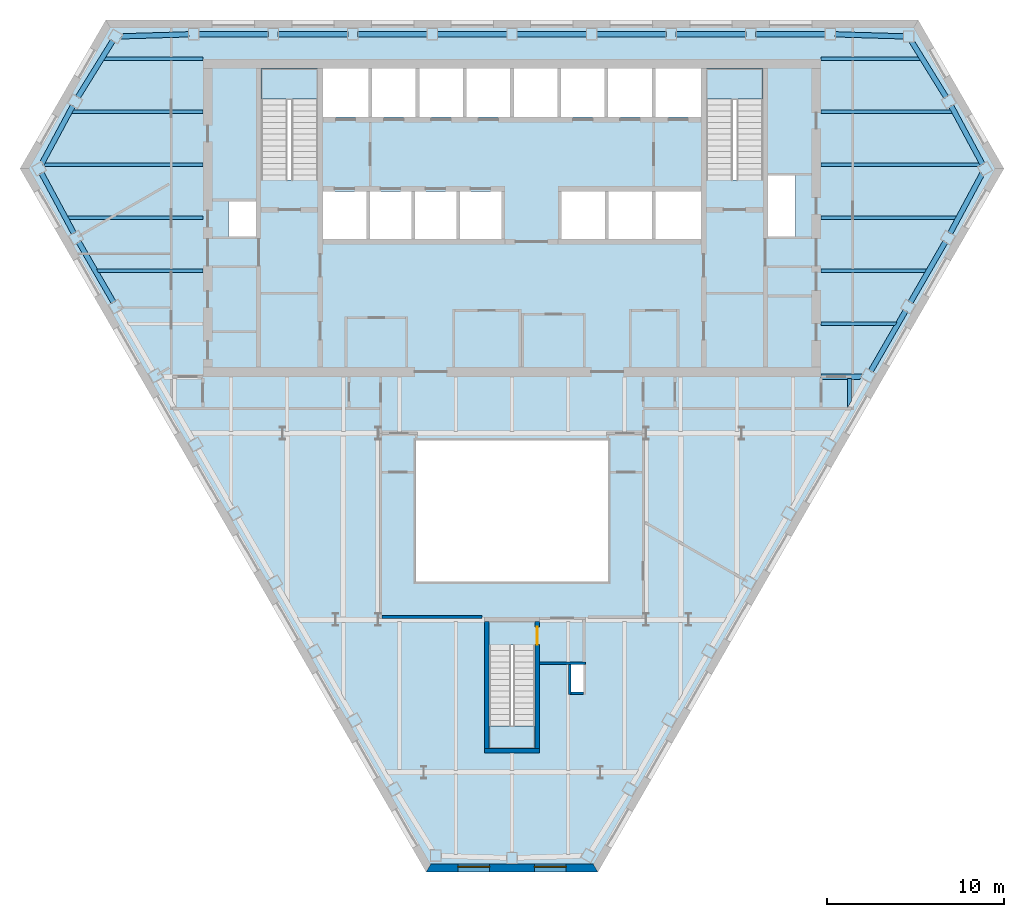
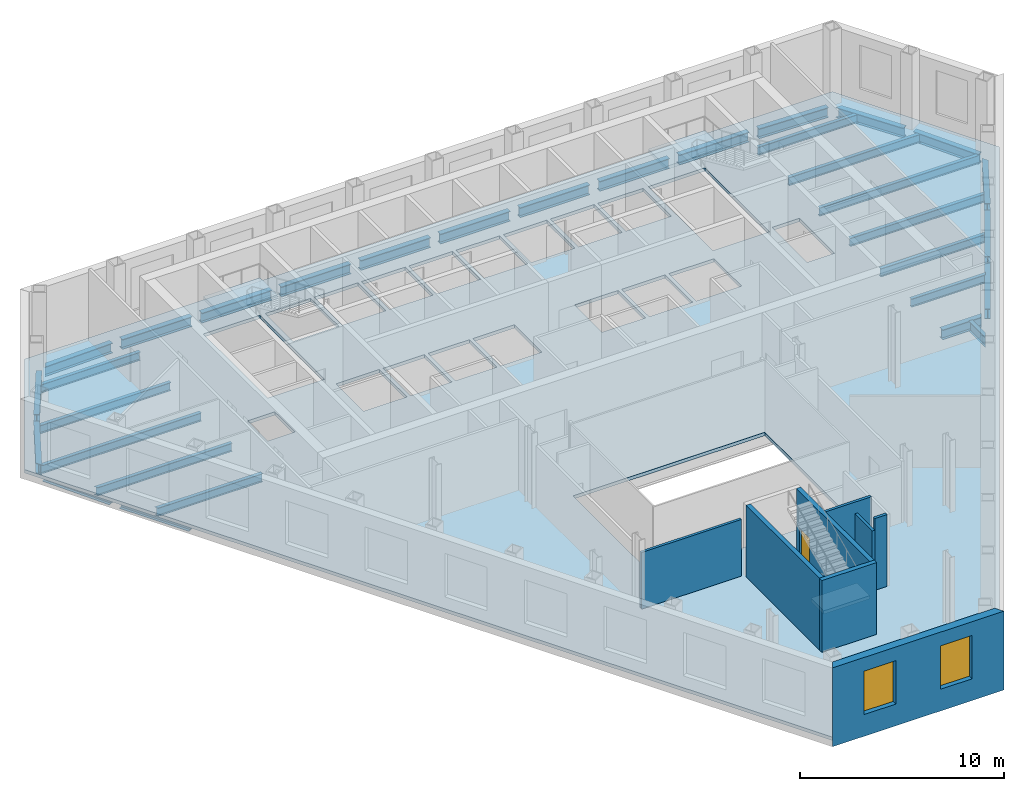
# One storey, part 3 of 11: 32 beams, 8 walls, 4 slabs, 2 windows, 1 door, 3 openings, 3 elements without a shape of their own.
"""IFC4 building model written with IfcOpenShell, lengths in metres."""

from ifc_helpers import new_model, si_unit, direction, frame, frame_2d, origin, origin_2d, place, context, subcontext, project, spatial, polyline, rectangle, i_section, outline, extrude, clip, halfspace, material, layer, layer_set, material_profile, profile_set, type_object, element, fill, aggregate, save


model = new_model("IFC4")

# Units and contexts
model_context = context("Model", 3, precision=1e-05, world=origin(), true_north=direction((0.0, 1.0)))
body_context = subcontext(model_context, "Body", "Model", "MODEL_VIEW")
ifc_project = project(units=[si_unit("LENGTHUNIT", "METRE"), si_unit("AREAUNIT", "SQUARE_METRE"), si_unit("VOLUMEUNIT", "CUBIC_METRE"), si_unit("PLANEANGLEUNIT", "RADIAN"), si_unit("MASSUNIT", "GRAM", prefix="KILO")], contexts=[model_context])

# Site, building, storey
site_placement = place(None, origin())
site = spatial("IfcSite", under=ifc_project, at=site_placement, CompositionType="ELEMENT")
building_placement = place(site_placement, origin())
building = spatial("IfcBuilding", under=site, at=building_placement, Name="Njiva Tower", CompositionType="ELEMENT")
storey_placement = place(building_placement, frame((0.0, 0.0, 120.3)))
storey = spatial("IfcBuildingStorey", under=building, at=storey_placement, Name="L25", CompositionType="ELEMENT", Elevation=120.3)

# Beams
ifc_material_1 = material(Name="Steel S355 J2", Category="steel")
ifc_material_profile_1 = material_profile(ifc_material_1, i_section(OverallWidth=0.22, OverallDepth=0.6, WebThickness=0.012, FlangeThickness=0.019, at=origin_2d()), Name="IPE 600")
ifc_profile_set_1 = profile_set([ifc_material_profile_1], Name="Steel S355 J2")
beam_type_1 = type_object("IfcBeamType", Name="B14 Short-span floor joist IPE 600", PredefinedType="JOIST", material=ifc_profile_set_1)
beam_1_placement = place(storey_placement, frame((19.1, -0.1, -0.5), z_axis=(0.0, -1.0, 0.0), x_axis=(1.0, 0.0, 0.0)))
element("IfcBeam", 1, at=beam_1_placement, inside=storey, type_object=beam_type_1, Name="Short-span floor joist S08-B090", PredefinedType="JOIST", context=body_context, shape_type="Clipping", body=[
    clip(extrude(i_section(OverallWidth=0.22, OverallDepth=0.6, WebThickness=0.012, FlangeThickness=0.019, at=origin_2d()), origin(), (0.0, 0.0, 1.0), 1.693), halfspace(frame((0.0433, 0.0, 1.4069), z_axis=(0.866026552831, 0.0, 0.499998009787), x_axis=(0.0, 1.0, 0.0)), False)),
])
ifc_material_profile_2 = material_profile(ifc_material_1, i_section(OverallWidth=0.3, OverallDepth=0.6, WebThickness=0.0155, FlangeThickness=0.03, at=origin_2d()), Name="HEB 600")
ifc_profile_set_2 = profile_set([ifc_material_profile_2], Name="Steel S355 J2")
beam_type_2 = type_object("IfcBeamType", Name="B21 Short-span floor girder HEB 600", PredefinedType="BEAM", material=ifc_profile_set_2)
beam_2_placement = place(storey_placement, frame((17.5, 0.0, -0.5), z_axis=(1.0, 0.0, 0.0), x_axis=(0.0, 1.0, 0.0)))
element("IfcBeam", 2, at=beam_2_placement, inside=storey, type_object=beam_type_2, Name="Short-span floor girder S08-B028", PredefinedType="BEAM", context=body_context, shape_type="Clipping", body=[
    clip(extrude(i_section(OverallWidth=0.3, OverallDepth=0.6, WebThickness=0.0155, FlangeThickness=0.03, at=origin_2d()), origin(), (0.0, 0.0, 1.0), 2.389), halfspace(frame((-0.025, 0.0, 2.2674), z_axis=(-0.499998009787, 0.0, 0.866026552831), x_axis=(0.0, 1.0, 0.0)), False)),
])
ifc_material_profile_3 = material_profile(ifc_material_1, i_section(OverallWidth=0.2, OverallDepth=0.5, WebThickness=0.0102, FlangeThickness=0.016, at=origin_2d()), Name="IPE 500")
ifc_profile_set_3 = profile_set([ifc_material_profile_3], Name="Steel S355 J2")
beam_type_3 = type_object("IfcBeamType", Name="B24 Floor beam to the core IPE 500", PredefinedType="BEAM", material=ifc_profile_set_3)
beam_3_placement = place(storey_placement, frame((-23.555, 6.0, -0.45), z_axis=(1.0, 0.0, 0.0), x_axis=(0.0, 1.0, 0.0)))
element("IfcBeam", 3, at=beam_3_placement, inside=storey, type_object=beam_type_3, Name="Floor beam to the core S08-B005", PredefinedType="BEAM", context=body_context, shape_type="Clipping", body=[
    clip(extrude(i_section(OverallWidth=0.2, OverallDepth=0.5, WebThickness=0.0102, FlangeThickness=0.016, at=origin_2d()), origin(), (0.0, 0.0, 1.0), 6.055), halfspace(frame((-0.025, 0.0, 0.092), z_axis=(-0.499998009787, 0.0, -0.866026552831), x_axis=(0.0, -1.0, 0.0)), False)),
])
beam_4_placement = place(storey_placement, frame((17.5, 6.0, -0.45), z_axis=(1.0, 0.0, 0.0), x_axis=(0.0, 1.0, 0.0)))
element("IfcBeam", 4, at=beam_4_placement, inside=storey, type_object=beam_type_3, Name="Floor beam to the core S08-B009", PredefinedType="BEAM", context=body_context, shape_type="Clipping", body=[
    clip(extrude(i_section(OverallWidth=0.2, OverallDepth=0.5, WebThickness=0.0102, FlangeThickness=0.016, at=origin_2d()), origin(), (0.0, 0.0, 1.0), 6.055), halfspace(frame((-0.025, 0.0, 5.963), z_axis=(-0.499998009787, 0.0, 0.866026552831), x_axis=(0.0, 1.0, 0.0)), False)),
])
beam_5_placement = place(storey_placement, frame((-25.241, 9.0, -0.45), z_axis=(1.0, 0.0, 0.0), x_axis=(0.0, 1.0, 0.0)))
element("IfcBeam", 5, at=beam_5_placement, inside=storey, type_object=beam_type_3, Name="Floor beam to the core S08-B003", PredefinedType="BEAM", context=body_context, shape_type="Clipping", body=[
    clip(extrude(i_section(OverallWidth=0.2, OverallDepth=0.5, WebThickness=0.0102, FlangeThickness=0.016, at=origin_2d()), origin(), (0.0, 0.0, 1.0), 7.741), halfspace(frame((-0.0237, 0.0, 0.0865), z_axis=(-0.47376166762, 0.0, -0.88065309986), x_axis=(0.0, -1.0, 0.0)), False)),
])
beam_6_placement = place(storey_placement, frame((17.5, 9.0, -0.45), z_axis=(1.0, 0.0, 0.0), x_axis=(0.0, 1.0, 0.0)))
element("IfcBeam", 6, at=beam_6_placement, inside=storey, type_object=beam_type_3, Name="Floor beam to the core S08-B010", PredefinedType="BEAM", context=body_context, shape_type="Clipping", body=[
    clip(extrude(i_section(OverallWidth=0.2, OverallDepth=0.5, WebThickness=0.0102, FlangeThickness=0.016, at=origin_2d()), origin(), (0.0, 0.0, 1.0), 7.741), halfspace(frame((-0.0237, 0.0, 7.6545), z_axis=(-0.47376166762, 0.0, 0.88065309986), x_axis=(0.0, 1.0, 0.0)), False)),
])
beam_7_placement = place(storey_placement, frame((-26.635, 12.0, -0.45), z_axis=(1.0, 0.0, 0.0), x_axis=(0.0, 1.0, 0.0)))
element("IfcBeam", 7, at=beam_7_placement, inside=storey, type_object=beam_type_3, Name="Floor beam to the core S08-B001", PredefinedType="BEAM", context=body_context, shape_type="Clipping", body=[
    clip(extrude(i_section(OverallWidth=0.2, OverallDepth=0.5, WebThickness=0.0102, FlangeThickness=0.016, at=origin_2d()), origin(), (0.0, 0.0, 1.0), 9.135), halfspace(frame((-0.025, 0.0, 0.092), z_axis=(-0.499998009787, 0.0, -0.866026552831), x_axis=(0.0, -1.0, 0.0)), False)),
])
beam_8_placement = place(storey_placement, frame((17.5, 12.0, -0.45), z_axis=(1.0, 0.0, 0.0), x_axis=(0.0, 1.0, 0.0)))
element("IfcBeam", 8, at=beam_8_placement, inside=storey, type_object=beam_type_3, Name="Floor beam to the core S08-B012", PredefinedType="BEAM", context=body_context, shape_type="Clipping", body=[
    clip(extrude(i_section(OverallWidth=0.2, OverallDepth=0.5, WebThickness=0.0102, FlangeThickness=0.016, at=origin_2d()), origin(), (0.0, 0.0, 1.0), 9.299), halfspace(frame((-0.0433, 0.0, 9.0306), z_axis=(-0.866026552831, 0.0, 0.499998009787), x_axis=(0.0, 1.0, 0.0)), False)),
])
beam_9_placement = place(storey_placement, frame((-25.01, 15.0, -0.45), z_axis=(1.0, 0.0, 0.0), x_axis=(0.0, 1.0, 0.0)))
element("IfcBeam", 9, at=beam_9_placement, inside=storey, type_object=beam_type_3, Name="Floor beam to the core S08-B004", PredefinedType="BEAM", context=body_context, shape_type="Clipping", body=[
    clip(extrude(i_section(OverallWidth=0.2, OverallDepth=0.5, WebThickness=0.0102, FlangeThickness=0.016, at=origin_2d()), origin(), (0.0, 0.0, 1.0), 7.51), halfspace(frame((0.0237, 0.0, 0.0866), z_axis=(0.473099472471, 0.0, -0.881009017631), x_axis=(0.0, -1.0, 0.0)), False)),
])
beam_10_placement = place(storey_placement, frame((17.5, 15.0, -0.45), z_axis=(1.0, 0.0, 0.0), x_axis=(0.0, 1.0, 0.0)))
element("IfcBeam", 10, at=beam_10_placement, inside=storey, type_object=beam_type_3, Name="Floor beam to the core S08-B013", PredefinedType="BEAM", context=body_context, shape_type="Clipping", body=[
    clip(extrude(i_section(OverallWidth=0.2, OverallDepth=0.5, WebThickness=0.0102, FlangeThickness=0.016, at=origin_2d()), origin(), (0.0, 0.0, 1.0), 7.51), halfspace(frame((0.0237, 0.0, 7.4234), z_axis=(0.473099472471, 0.0, 0.881009017631), x_axis=(0.0, 1.0, 0.0)), False)),
])
beam_11_placement = place(storey_placement, frame((-23.205, 18.0, -0.45), z_axis=(1.0, 0.0, 0.0), x_axis=(0.0, 1.0, 0.0)))
element("IfcBeam", 11, at=beam_11_placement, inside=storey, type_object=beam_type_3, Name="Floor beam to the core S08-B006", PredefinedType="BEAM", context=body_context, shape_type="Clipping", body=[
    clip(extrude(i_section(OverallWidth=0.2, OverallDepth=0.5, WebThickness=0.0102, FlangeThickness=0.016, at=origin_2d()), origin(), (0.0, 0.0, 1.0), 5.705), halfspace(frame((0.0263, 0.0, 0.0982), z_axis=(0.526429317406, 0.0, -0.850218897564), x_axis=(0.0, -1.0, 0.0)), False)),
])
beam_12_placement = place(storey_placement, frame((17.5, 18.0, -0.45), z_axis=(1.0, 0.0, 0.0), x_axis=(0.0, 1.0, 0.0)))
element("IfcBeam", 12, at=beam_12_placement, inside=storey, type_object=beam_type_3, Name="Floor beam to the core S08-B014", PredefinedType="BEAM", context=body_context, shape_type="Clipping", body=[
    clip(extrude(i_section(OverallWidth=0.2, OverallDepth=0.5, WebThickness=0.0102, FlangeThickness=0.016, at=origin_2d()), origin(), (0.0, 0.0, 1.0), 5.705), halfspace(frame((0.0263, 0.0, 5.6068), z_axis=(0.526429317406, 0.0, 0.850218897564), x_axis=(0.0, 1.0, 0.0)), False)),
])
ifc_material_profile_4 = material_profile(ifc_material_1, i_section(OverallWidth=0.2, OverallDepth=0.5, WebThickness=0.0102, FlangeThickness=0.016, at=origin_2d()), Name="IPE 500")
ifc_profile_set_4 = profile_set([ifc_material_profile_4], Name="Steel S355 J2")
beam_type_4 = type_object("IfcBeamType", Name="B25 Short-span floor beam to the core IPE 500", PredefinedType="BEAM", material=ifc_profile_set_4)
beam_13_placement = place(storey_placement, frame((17.5, 3.0, -0.45), z_axis=(1.0, 0.0, 0.0), x_axis=(0.0, 1.0, 0.0)))
element("IfcBeam", 13, at=beam_13_placement, inside=storey, type_object=beam_type_4, Name="Short-span floor beam to the core S08-B008", PredefinedType="BEAM", context=body_context, shape_type="Clipping", body=[
    clip(extrude(i_section(OverallWidth=0.2, OverallDepth=0.5, WebThickness=0.0102, FlangeThickness=0.016, at=origin_2d()), origin(), (0.0, 0.0, 1.0), 4.323), halfspace(frame((-0.025, 0.0, 4.2309), z_axis=(-0.499998009787, 0.0, 0.866026552831), x_axis=(0.0, 1.0, 0.0)), False)),
])
ifc_material_profile_5 = material_profile(ifc_material_1, i_section(OverallWidth=0.3, OverallDepth=0.6, WebThickness=0.0155, FlangeThickness=0.03, at=origin_2d()), Name="HEB 600")
ifc_profile_set_5 = profile_set([ifc_material_profile_5], Name="Steel S355 J2")
beam_type_5 = type_object("IfcBeamType", Name="B3 Short-span spandrel beam HEB 600", PredefinedType="SPANDREL", material=ifc_profile_set_5)
beam_14_placement = place(storey_placement, frame((22.177, 19.275, -0.5), z_axis=(-0.999543780598, 0.030203156593, 0.0), x_axis=(-0.030203156593, -0.999543780598, 0.0)))
element("IfcBeam", 14, at=beam_14_placement, inside=storey, type_object=beam_type_5, Name="Short-span spandrel beam S08-B151", PredefinedType="SPANDREL", context=body_context, shape_type="SweptSolid", body=[
    extrude(i_section(OverallWidth=0.3, OverallDepth=0.6, WebThickness=0.0155, FlangeThickness=0.03, at=origin_2d()), origin(), (0.0, 0.0, 1.0), 3.8738),
])
beam_15_placement = place(storey_placement, frame((17.751, 19.4, -0.5), z_axis=(-1.0, 0.0, 0.0), x_axis=(0.0, -1.0, 0.0)))
element("IfcBeam", 15, at=beam_15_placement, inside=storey, type_object=beam_type_5, Name="Short-span spandrel beam S08-B145", PredefinedType="SPANDREL", context=body_context, shape_type="SweptSolid", body=[
    extrude(i_section(OverallWidth=0.3, OverallDepth=0.6, WebThickness=0.0155, FlangeThickness=0.03, at=origin_2d()), origin(), (0.0, 0.0, 1.0), 3.956),
])
beam_16_placement = place(storey_placement, frame((13.245, 19.4, -0.5), z_axis=(-1.0, 0.0, 0.0), x_axis=(0.0, -1.0, 0.0)))
element("IfcBeam", 16, at=beam_16_placement, inside=storey, type_object=beam_type_5, Name="Short-span spandrel beam S08-B140", PredefinedType="SPANDREL", context=body_context, shape_type="SweptSolid", body=[
    extrude(i_section(OverallWidth=0.3, OverallDepth=0.6, WebThickness=0.0155, FlangeThickness=0.03, at=origin_2d()), origin(), (0.0, 0.0, 1.0), 3.957),
])
beam_17_placement = place(storey_placement, frame((8.738, 19.4, -0.5), z_axis=(-1.0, 0.0, 0.0), x_axis=(0.0, -1.0, 0.0)))
element("IfcBeam", 17, at=beam_17_placement, inside=storey, type_object=beam_type_5, Name="Short-span spandrel beam S08-B135", PredefinedType="SPANDREL", context=body_context, shape_type="SweptSolid", body=[
    extrude(i_section(OverallWidth=0.3, OverallDepth=0.6, WebThickness=0.0155, FlangeThickness=0.03, at=origin_2d()), origin(), (0.0, 0.0, 1.0), 3.956),
])
for number, where, z_axis, x_axis, name in (
    (18, (4.232, 19.4, -0.5), (-1.0, 0.0, 0.0), (0.0, -1.0, 0.0), "Short-span spandrel beam S08-B130"),
    (19, (-0.275, 19.4, -0.5), (-1.0, 0.0, 0.0), (0.0, -1.0, 0.0), "Short-span spandrel beam S08-B127"),
):
    element("IfcBeam", number, at=place(storey_placement, frame(where, z_axis=z_axis, x_axis=x_axis)), inside=storey, type_object=beam_type_5, Name=name, PredefinedType="SPANDREL", context=body_context, shape_type="SweptSolid", body=[
        extrude(i_section(OverallWidth=0.3, OverallDepth=0.6, WebThickness=0.0155, FlangeThickness=0.03, at=origin_2d()), origin(), (0.0, 0.0, 1.0), 3.957),
    ])
beam_18_placement = place(storey_placement, frame((-4.782, 19.4, -0.5), z_axis=(-1.0, 0.0, 0.0), x_axis=(0.0, -1.0, 0.0)))
element("IfcBeam", 20, at=beam_18_placement, inside=storey, type_object=beam_type_5, Name="Short-span spandrel beam S08-B123", PredefinedType="SPANDREL", context=body_context, shape_type="SweptSolid", body=[
    extrude(i_section(OverallWidth=0.3, OverallDepth=0.6, WebThickness=0.0155, FlangeThickness=0.03, at=origin_2d()), origin(), (0.0, 0.0, 1.0), 3.956),
])
beam_19_placement = place(storey_placement, frame((-9.288, 19.4, -0.5), z_axis=(-1.0, 0.0, 0.0), x_axis=(0.0, -1.0, 0.0)))
element("IfcBeam", 21, at=beam_19_placement, inside=storey, type_object=beam_type_5, Name="Short-span spandrel beam S08-B118", PredefinedType="SPANDREL", context=body_context, shape_type="SweptSolid", body=[
    extrude(i_section(OverallWidth=0.3, OverallDepth=0.6, WebThickness=0.0155, FlangeThickness=0.03, at=origin_2d()), origin(), (0.0, 0.0, 1.0), 3.957),
])
beam_20_placement = place(storey_placement, frame((-13.795, 19.4, -0.5), z_axis=(-1.0, 0.0, 0.0), x_axis=(0.0, -1.0, 0.0)))
element("IfcBeam", 22, at=beam_20_placement, inside=storey, type_object=beam_type_5, Name="Short-span spandrel beam S08-B113", PredefinedType="SPANDREL", context=body_context, shape_type="SweptSolid", body=[
    extrude(i_section(OverallWidth=0.3, OverallDepth=0.6, WebThickness=0.0155, FlangeThickness=0.03, at=origin_2d()), origin(), (0.0, 0.0, 1.0), 3.956),
])
beam_21_placement = place(storey_placement, frame((-18.305, 19.392, -0.5), z_axis=(-0.999542144167, -0.030257264169, 0.0), x_axis=(0.030257264169, -0.999542144167, 0.0)))
element("IfcBeam", 23, at=beam_21_placement, inside=storey, type_object=beam_type_5, Name="Short-span spandrel beam S08-B108", PredefinedType="SPANDREL", context=body_context, shape_type="Clipping", body=[
    clip(extrude(i_section(OverallWidth=0.3, OverallDepth=0.6, WebThickness=0.0155, FlangeThickness=0.03, at=origin_2d()), origin(), (0.0, 0.0, 1.0), 3.9137), halfspace(frame((-0.0268, 0.0, 3.784), z_axis=(-0.525972676968, 0.0, 0.850501465656), x_axis=(0.0, 1.0, 0.0)), False)),
])
beam_22_placement = place(storey_placement, frame((-22.603, 19.03, -0.5), z_axis=(-0.526318046731, -0.850287782862, 0.0), x_axis=(0.850287782862, -0.526318046731, 0.0)))
element("IfcBeam", 24, at=beam_22_placement, inside=storey, type_object=beam_type_5, Name="Short-span spandrel beam S08-B102", PredefinedType="SPANDREL", context=body_context, shape_type="SweptSolid", body=[
    extrude(i_section(OverallWidth=0.3, OverallDepth=0.6, WebThickness=0.0155, FlangeThickness=0.03, at=origin_2d()), origin(), (0.0, 0.0, 1.0), 3.7658),
])
beam_23_placement = place(storey_placement, frame((-24.864, 15.345, -0.5), z_axis=(-0.473243439897, -0.880931692355, 0.0), x_axis=(0.880931692355, -0.473243439897, 0.0)))
element("IfcBeam", 25, at=beam_23_placement, inside=storey, type_object=beam_type_5, Name="Short-span spandrel beam S08-B099", PredefinedType="SPANDREL", context=body_context, shape_type="Clipping", body=[
    clip(extrude(i_section(OverallWidth=0.3, OverallDepth=0.6, WebThickness=0.0155, FlangeThickness=0.03, at=origin_2d()), origin(), (0.0, 0.0, 1.0), 3.8045), halfspace(frame((-0.0261, 0.0, 3.6756), z_axis=(-0.526289458717, 0.0, 0.850305477839), x_axis=(0.0, 1.0, 0.0)), False)),
])
beam_24_placement = place(storey_placement, frame((-26.645, 11.537, -0.5), z_axis=(0.473653377276, -0.880711347829, 0.0), x_axis=(0.880711347829, 0.473653377276, 0.0)))
element("IfcBeam", 26, at=beam_24_placement, inside=storey, type_object=beam_type_5, Name="Short-span spandrel beam S08-B098", PredefinedType="SPANDREL", context=body_context, shape_type="SweptSolid", body=[
    extrude(i_section(OverallWidth=0.3, OverallDepth=0.6, WebThickness=0.0155, FlangeThickness=0.03, at=origin_2d()), origin(), (0.0, 0.0, 1.0), 3.8741),
])
beam_25_placement = place(storey_placement, frame((-24.54, 7.641, -0.5), z_axis=(0.499999616612, -0.866025625133, 0.0), x_axis=(0.866025625133, 0.499999616612, 0.0)))
element("IfcBeam", 27, at=beam_25_placement, inside=storey, type_object=beam_type_5, Name="Short-span spandrel beam S08-B103", PredefinedType="SPANDREL", context=body_context, shape_type="SweptSolid", body=[
    extrude(i_section(OverallWidth=0.3, OverallDepth=0.6, WebThickness=0.0155, FlangeThickness=0.03, at=origin_2d()), origin(), (0.0, 0.0, 1.0), 3.956),
])
beam_26_placement = place(storey_placement, frame((20.309, 0.312, -0.5), z_axis=(0.499890179513, 0.866088799389, 0.0), x_axis=(-0.866088799389, 0.499890179513, 0.0)))
element("IfcBeam", 28, at=beam_26_placement, inside=storey, type_object=beam_type_5, Name="Short-span spandrel beam S08-B154", PredefinedType="SPANDREL", context=body_context, shape_type="SweptSolid", body=[
    extrude(i_section(OverallWidth=0.3, OverallDepth=0.6, WebThickness=0.0155, FlangeThickness=0.03, at=origin_2d()), origin(), (0.0, 0.0, 1.0), 3.9569),
])
beam_27_placement = place(storey_placement, frame((22.562, 4.215, -0.5), z_axis=(0.499999616612, 0.866025625133, 0.0), x_axis=(-0.866025625133, 0.499999616612, 0.0)))
element("IfcBeam", 29, at=beam_27_placement, inside=storey, type_object=beam_type_5, Name="Short-span spandrel beam S08-B156", PredefinedType="SPANDREL", context=body_context, shape_type="SweptSolid", body=[
    extrude(i_section(OverallWidth=0.3, OverallDepth=0.6, WebThickness=0.0155, FlangeThickness=0.03, at=origin_2d()), origin(), (0.0, 0.0, 1.0), 3.956),
])
beam_28_placement = place(storey_placement, frame((24.81, 8.125, -0.5), z_axis=(0.473848769569, 0.880606236395, 0.0), x_axis=(-0.880606236395, 0.473848769569, 0.0)))
element("IfcBeam", 30, at=beam_28_placement, inside=storey, type_object=beam_type_5, Name="Short-span spandrel beam S08-B160", PredefinedType="SPANDREL", context=body_context, shape_type="Clipping", body=[
    clip(extrude(i_section(OverallWidth=0.3, OverallDepth=0.6, WebThickness=0.0155, FlangeThickness=0.03, at=origin_2d()), origin(), (0.0, 0.0, 1.0), 3.9138), halfspace(frame((-0.026, 0.0, 3.7843), z_axis=(-0.525704941583, 0.0, 0.850666982077), x_axis=(0.0, 1.0, 0.0)), False)),
])
beam_29_placement = place(storey_placement, frame((26.646, 12.028, -0.5), z_axis=(-0.473260234506, 0.880922669952, 0.0), x_axis=(-0.880922669952, -0.473260234506, 0.0)))
element("IfcBeam", 31, at=beam_29_placement, inside=storey, type_object=beam_type_5, Name="Short-span spandrel beam S08-B161", PredefinedType="SPANDREL", context=body_context, shape_type="SweptSolid", body=[
    extrude(i_section(OverallWidth=0.3, OverallDepth=0.6, WebThickness=0.0155, FlangeThickness=0.03, at=origin_2d()), origin(), (0.0, 0.0, 1.0), 3.7654),
])
beam_30_placement = place(storey_placement, frame((24.585, 15.828, -0.5), z_axis=(-0.526317312781, 0.850288237169, 0.0), x_axis=(-0.850288237169, -0.526317312781, 0.0)))
element("IfcBeam", 32, at=beam_30_placement, inside=storey, type_object=beam_type_5, Name="Short-span spandrel beam S08-B157", PredefinedType="SPANDREL", context=body_context, shape_type="Clipping", body=[
    clip(extrude(i_section(OverallWidth=0.3, OverallDepth=0.6, WebThickness=0.0155, FlangeThickness=0.03, at=origin_2d()), origin(), (0.0, 0.0, 1.0), 3.8047), halfspace(frame((-0.0263, 0.0, 3.6754), z_axis=(-0.526317312781, 0.0, 0.850288237169), x_axis=(0.0, 1.0, 0.0)), False)),
])

# Stair, slab
ifc_material_2 = material(Name="Concrete C40/50", Category="concrete")
stair_type_1 = type_object("IfcStairType", Name="ST4 Exit stair 1500", PredefinedType="HALF_TURN_STAIR", material=ifc_material_2)
stair_1_placement = place(storey_placement, origin())
stair_1 = element("IfcStair", 33, at=stair_1_placement, inside=storey, type_object=stair_type_1, Name="Stair A", PredefinedType="HALF_TURN_STAIR")
ifc_layer_1 = layer(ifc_material_2, 0.2)
ifc_layer_set_1 = layer_set([ifc_layer_1], Name="Concrete C40/50")
slab_type_1 = type_object("IfcSlabType", Name="FL9 Stair landing 200", PredefinedType="LANDING", material=ifc_layer_set_1)
slab_1_placement = place(storey_placement, frame((0.0, 0.0, 2.05)))
slab_1 = element("IfcSlab", 34, at=slab_1_placement, type_object=slab_type_1, Name="ST-A landing 1", PredefinedType="LANDING", context=body_context, shape_type="SweptSolid", body=[
    extrude(outline(polyline([(-14.206, 15.72), (-10.994, 15.72), (-10.994, 17.45), (-14.206, 17.45), (-14.206, 15.72)])), origin(), (0.0, 0.0, 1.0), 0.2),
])
aggregate(stair_1, [slab_1])

stair_2_placement = place(storey_placement, origin())
stair_2 = element("IfcStair", 35, at=stair_2_placement, inside=storey, type_object=stair_type_1, Name="Stair B", PredefinedType="HALF_TURN_STAIR")
slab_2_placement = place(storey_placement, frame((0.0, 0.0, 2.05)))
slab_2 = element("IfcSlab", 36, at=slab_2_placement, type_object=slab_type_1, Name="ST-B landing 1", PredefinedType="LANDING", context=body_context, shape_type="SweptSolid", body=[
    extrude(outline(polyline([(10.994, 15.72), (14.206, 15.72), (14.206, 17.45), (10.994, 17.45), (10.994, 15.72)])), origin(), (0.0, 0.0, 1.0), 0.2),
])
aggregate(stair_2, [slab_2])

stair_type_2 = type_object("IfcStairType", Name="ST1 Exit stair 1250", PredefinedType="HALF_TURN_STAIR", material=ifc_material_2)
stair_3_placement = place(storey_placement, origin())
stair_3 = element("IfcStair", 37, at=stair_3_placement, inside=storey, type_object=stair_type_2, Name="Stair C", PredefinedType="HALF_TURN_STAIR")
slab_3_placement = place(storey_placement, frame((0.0, 0.0, 2.05)))
slab_3 = element("IfcSlab", 38, at=slab_3_placement, type_object=slab_type_1, Name="ST-C landing 1", PredefinedType="LANDING", context=body_context, shape_type="SweptSolid", body=[
    extrude(outline(polyline([(-1.306, -21.05), (1.306, -21.05), (1.306, -19.78), (-1.306, -19.78), (-1.306, -21.05)])), origin(), (0.0, 0.0, 1.0), 0.2),
])
aggregate(stair_3, [slab_3])

# Slab
ifc_material_3 = material(Name="Concrete C30/37", Category="concrete")
ifc_layer_2 = layer(ifc_material_3, 0.2)
ifc_layer_set_2 = layer_set([ifc_layer_2], Name="Concrete C30/37")
slab_type_2 = type_object("IfcSlabType", Name="SL16 Composite floor slab 200", PredefinedType="FLOOR", material=ifc_layer_set_2)
slab_4_placement = place(storey_placement, frame((0.0, 0.0, -0.2)))
element("IfcSlab", 39, at=slab_4_placement, inside=storey, type_object=slab_type_2, Name="Floor slab L25", PredefinedType="FLOOR", context=body_context, shape_type="SweptSolid", body=[
    extrude(outline(polyline([(27.5952, 11.7822), (4.7301, -27.8213), (-4.7301, -27.8213), (-27.5952, 11.7822), (-22.8651, 19.975), (22.8651, 19.975), (27.5952, 11.7822)]), holes=[polyline([(14.5, 7.95), (16.05, 7.95), (16.05, 11.3947), (14.5, 11.3947), (14.5, 7.95)]), polyline([(10.994, 17.45), (10.994, 11.13), (14.206, 11.13), (14.206, 17.45), (10.994, 17.45)]), polyline([(8.125, 17.45), (8.125, 14.7), (10.7, 14.7), (10.7, 17.45), (8.125, 17.45)]), polyline([(8.1333, 10.5), (8.1333, 7.8), (10.7, 7.8), (10.7, 10.5), (8.1333, 10.5)]), polyline([(5.4667, 10.5), (5.4667, 7.8), (7.9333, 7.8), (7.9333, 10.5), (5.4667, 10.5)]), polyline([(5.45, 17.45), (5.45, 14.7), (7.925, 14.7), (7.925, 17.45), (5.45, 17.45)]), polyline([(5.43, -11.6), (5.43, -3.6), (-5.43, -3.6), (-5.43, -11.6), (5.43, -11.6)]), polyline([(2.8, 7.8), (5.2667, 7.8), (5.2667, 10.5), (2.8, 10.5), (2.8, 7.8)]), polyline([(2.775, 14.7), (5.25, 14.7), (5.25, 17.45), (2.775, 17.45), (2.775, 14.7)]), polyline([(3.35, -17.85), (4.05, -17.85), (4.05, -16.3), (3.35, -16.3), (3.35, -17.85)]), polyline([(0.1, 17.45), (0.1, 14.7), (2.575, 14.7), (2.575, 17.45), (0.1, 17.45)]), polyline([(-1.306, -21.05), (1.306, -21.05), (1.306, -15.19), (-1.306, -15.19), (-1.306, -21.05)]), polyline([(-2.575, 17.45), (-2.575, 14.7), (-0.1, 14.7), (-0.1, 17.45), (-2.575, 17.45)]), polyline([(-2.95, 7.8), (-0.6, 7.8), (-0.6, 10.5), (-2.95, 10.5), (-2.95, 7.8)]), polyline([(-5.25, 17.45), (-5.25, 14.7), (-2.775, 14.7), (-2.775, 17.45), (-5.25, 17.45)]), polyline([(-5.5, 10.5), (-5.5, 7.8), (-3.15, 7.8), (-3.15, 10.5), (-5.5, 10.5)]), polyline([(-7.925, 14.7), (-5.45, 14.7), (-5.45, 17.45), (-7.925, 17.45), (-7.925, 14.7)]), polyline([(-8.05, 10.5), (-8.05, 7.8), (-5.7, 7.8), (-5.7, 10.5), (-8.05, 10.5)]), polyline([(-10.7, 17.45), (-10.7, 14.7), (-8.125, 14.7), (-8.125, 17.45), (-10.7, 17.45)]), polyline([(-10.7, 7.8), (-8.25, 7.8), (-8.25, 10.5), (-10.7, 10.5), (-10.7, 7.8)]), polyline([(-14.206, 17.45), (-14.206, 11.13), (-10.994, 11.13), (-10.994, 17.45), (-14.206, 17.45)]), polyline([(-14.5, 9.9333), (-16.05, 9.9333), (-16.05, 7.95), (-14.5, 7.95), (-14.5, 9.9333)])]), origin(), (0.0, 0.0, 1.0), 0.2),
])

# Walls
ifc_material_4 = material(Name="Gypsum board on steel studs", Category="gypsum")
ifc_layer_3 = layer(ifc_material_4, 0.15)
ifc_layer_set_3 = layer_set([ifc_layer_3], Name="Gypsum board on steel studs")
wall_type_1 = type_object("IfcWallType", Name="WT21 Compartment wall 150", PredefinedType="PARTITIONING", material=ifc_layer_set_3)
wall_1_placement = place(storey_placement, frame((-7.355, -13.6, 0.0), z_axis=(0.0, 0.0, 1.0), x_axis=(1.0, 0.0, 0.0)))
element("IfcWall", 40, at=wall_1_placement, inside=storey, type_object=wall_type_1, Name="Partition S08-P011", PredefinedType="PARTITIONING", context=body_context, shape_type="SweptSolid", body=[
    extrude(rectangle(XDim=5.655, YDim=0.15, at=frame_2d((2.8275, 0.0))), origin(), (0.0, 0.0, 1.0), 3.39),
])
ifc_material_5 = material(Name="Blockwork", Category="masonry")
ifc_layer_4 = layer(ifc_material_5, 0.15)
ifc_layer_set_4 = layer_set([ifc_layer_4], Name="Blockwork")
wall_type_2 = type_object("IfcWallType", Name="WT4 Stair partition 150", PredefinedType="PARTITIONING", material=ifc_layer_set_4)
wall_2_placement = place(storey_placement, frame((1.55, -16.225, 0.0), z_axis=(0.0, 0.0, 1.0), x_axis=(1.0, 0.0, 0.0)))
element("IfcWall", 41, at=wall_2_placement, inside=storey, type_object=wall_type_2, Name="Stair C vestibule wall south", PredefinedType="PARTITIONING", context=body_context, shape_type="SweptSolid", body=[
    extrude(rectangle(XDim=2.6, YDim=0.15, at=frame_2d((1.3, 0.0))), origin(), (0.0, 0.0, 1.0), 4.3),
])
wall_3_placement = place(storey_placement, frame((3.275, -18.0, 0.0), z_axis=(0.0, 0.0, 1.0), x_axis=(0.0, 1.0, 0.0)))
element("IfcWall", 42, at=wall_3_placement, inside=storey, type_object=wall_type_2, Name="Stair C pressurisation shaft wall", PredefinedType="PARTITIONING", context=body_context, shape_type="SweptSolid", body=[
    extrude(rectangle(XDim=1.7, YDim=0.15, at=frame_2d((0.85, 0.0))), origin(), (0.0, 0.0, 1.0), 3.61),
])
wall_4_placement = place(storey_placement, frame((3.35, -17.925, 0.0), z_axis=(0.0, 0.0, 1.0), x_axis=(1.0, 0.0, 0.0)))
element("IfcWall", 43, at=wall_4_placement, inside=storey, type_object=wall_type_2, Name="Stair C pressurisation shaft wall", PredefinedType="PARTITIONING", context=body_context, shape_type="SweptSolid", body=[
    extrude(rectangle(XDim=0.7, YDim=0.15, at=frame_2d((0.35, 0.0))), origin(), (0.0, 0.0, 1.0), 4.3),
])
ifc_layer_5 = layer(ifc_material_2, 0.25)
ifc_layer_set_5 = layer_set([ifc_layer_5], Name="Concrete C40/50")
wall_type_3 = type_object("IfcWallType", Name="WT9 Stair enclosure wall 250", PredefinedType="SHEAR", material=ifc_layer_set_5)
wall_5_placement = place(storey_placement, frame((-1.425, -21.05, 0.0), z_axis=(0.0, 0.0, 1.0), x_axis=(0.0, 1.0, 0.0)))
element("IfcWall", 44, at=wall_5_placement, inside=storey, type_object=wall_type_3, Name="Stair C wall west", PredefinedType="SHEAR", context=body_context, shape_type="SweptSolid", body=[
    extrude(rectangle(XDim=7.2, YDim=0.25, at=frame_2d((3.6, 0.0))), origin(), (0.0, 0.0, 1.0), 4.3),
])

# Wall, opening, door
wall_6_placement = place(storey_placement, frame((1.425, -21.05, 0.0), z_axis=(0.0, 0.0, 1.0), x_axis=(0.0, 1.0, 0.0)))
wall_6 = element("IfcWall", 45, at=wall_6_placement, inside=storey, type_object=wall_type_3, Name="Stair C wall east", PredefinedType="SHEAR", context=body_context, shape_type="SweptSolid", body=[
    extrude(rectangle(XDim=7.2, YDim=0.25, at=frame_2d((3.6, 0.0))), origin(), (0.0, 0.0, 1.0), 4.3),
])
opening_1_placement = place(wall_6_placement, frame((5.89, 0.0, 0.0)))
opening_1 = element("IfcOpeningElement", 46, at=opening_1_placement, cuts=wall_6, Name="Opening S08-D939", PredefinedType="OPENING", context=body_context, shape_type="SweptSolid", body=[
    extrude(rectangle(XDim=1.0, YDim=2.1, at=frame_2d((0.5, 1.05))), frame((0.0, 0.135, 0.0), z_axis=(0.0, -1.0, 0.0), x_axis=(1.0, 0.0, 0.0)), (0.0, 0.0, 1.0), 0.27),
])
ifc_material_6 = material(Name="Glazed steel fire door", Category="steel")
door_type = type_object("IfcDoorType", Name="D9 Stair vestibule door 1000x2100 glazed", OperationType="SINGLE_SWING_LEFT", PredefinedType="DOOR", material=ifc_material_6)
door_placement = place(opening_1_placement, origin())
door = element("IfcDoor", 47, at=door_placement, inside=storey, type_object=door_type, Name="Stair C door", OperationType="SINGLE_SWING_LEFT", OverallHeight=2.1, OverallWidth=1.0, PredefinedType="DOOR", context=body_context, shape_type="SweptSolid", body=[
    extrude(rectangle(XDim=1.0, YDim=2.1, at=frame_2d((0.5, 1.05))), frame((0.0, 0.025, 0.0), z_axis=(0.0, -1.0, 0.0), x_axis=(1.0, 0.0, 0.0)), (0.0, 0.0, 1.0), 0.05),
])
fill(opening_1, door)

# Wall
wall_7_placement = place(storey_placement, frame((-1.55, -21.175, 0.0), z_axis=(0.0, 0.0, 1.0), x_axis=(1.0, 0.0, 0.0)))
element("IfcWall", 48, at=wall_7_placement, inside=storey, type_object=wall_type_3, Name="Stair C wall south", PredefinedType="SHEAR", context=body_context, shape_type="SweptSolid", body=[
    extrude(rectangle(XDim=3.1, YDim=0.25, at=frame_2d((1.55, 0.0))), origin(), (0.0, 0.0, 1.0), 4.3),
])

# Wall, openings, windows
ifc_material_7 = material(Name="Brick masonry, buff", Category="masonry")
ifc_layer_6 = layer(ifc_material_7, 0.45)
ifc_layer_set_6 = layer_set([ifc_layer_6], Name="Brick masonry, buff")
wall_type_4 = type_object("IfcWallType", Name="WT94 Brick pier and spandrel wall 450, buff", PredefinedType="SOLIDWALL", material=ifc_layer_set_6)
wall_8_placement = place(storey_placement, frame((-4.7301, -27.8213, -0.4), z_axis=(0.0, 0.0, 1.0), x_axis=(1.0, 0.0, 0.0)))
wall_8 = element("IfcWall", 49, at=wall_8_placement, inside=storey, type_object=wall_type_4, Name="Facade wall S", PredefinedType="SOLIDWALL", context=body_context, shape_type="SweptSolid", body=[
    extrude(outline(polyline([(-0.1299, -0.225), (9.5901, -0.225), (9.3303, 0.225), (0.1299, 0.225), (-0.1299, -0.225)])), origin(), (0.0, 0.0, 1.0), 4.72),
])
opening_2_placement = place(wall_8_placement, frame((1.6694, 0.0, 1.3)))
opening_2 = element("IfcOpeningElement", 50, at=opening_2_placement, cuts=wall_8, Name="Opening S08-W21", PredefinedType="OPENING", context=body_context, shape_type="SweptSolid", body=[
    extrude(rectangle(XDim=1.8, YDim=2.6, at=frame_2d((0.9, 1.3))), frame((0.0, 0.235, 0.0), z_axis=(0.0, -1.0, 0.0), x_axis=(1.0, 0.0, 0.0)), (0.0, 0.0, 1.0), 0.47),
])
opening_3_placement = place(wall_8_placement, frame((5.9907, 0.0, 1.3)))
opening_3 = element("IfcOpeningElement", 51, at=opening_3_placement, cuts=wall_8, Name="Opening S08-W22", PredefinedType="OPENING", context=body_context, shape_type="SweptSolid", body=[
    extrude(rectangle(XDim=1.8, YDim=2.6, at=frame_2d((0.9, 1.3))), frame((0.0, 0.235, 0.0), z_axis=(0.0, -1.0, 0.0), x_axis=(1.0, 0.0, 0.0)), (0.0, 0.0, 1.0), 0.47),
])
ifc_material_8 = material(Name="Clear glazing in aluminium frame", Category="aluminium")
window_type = type_object("IfcWindowType", Name="W96 Deep-set window 1800x2600", PartitioningType="SINGLE_PANEL", PredefinedType="WINDOW", material=ifc_material_8)
window_1_placement = place(opening_2_placement, origin())
window_1 = element("IfcWindow", 52, at=window_1_placement, inside=storey, type_object=window_type, Name="Window", OverallHeight=2.6, OverallWidth=1.8, PartitioningType="SINGLE_PANEL", PredefinedType="WINDOW", context=body_context, shape_type="SweptSolid", body=[
    extrude(rectangle(XDim=1.8, YDim=2.6, at=frame_2d((0.9, 1.3))), frame((0.0, 0.105, 0.0), z_axis=(0.0, -1.0, 0.0), x_axis=(1.0, 0.0, 0.0)), (0.0, 0.0, 1.0), 0.06),
])
fill(opening_2, window_1)
window_2_placement = place(opening_3_placement, origin())
window_2 = element("IfcWindow", 53, at=window_2_placement, inside=storey, type_object=window_type, Name="Window", OverallHeight=2.6, OverallWidth=1.8, PartitioningType="SINGLE_PANEL", PredefinedType="WINDOW", context=body_context, shape_type="SweptSolid", body=[
    extrude(rectangle(XDim=1.8, YDim=2.6, at=frame_2d((0.9, 1.3))), frame((0.0, 0.105, 0.0), z_axis=(0.0, -1.0, 0.0), x_axis=(1.0, 0.0, 0.0)), (0.0, 0.0, 1.0), 0.06),
])
fill(opening_3, window_2)

save(model, "model.ifc")
